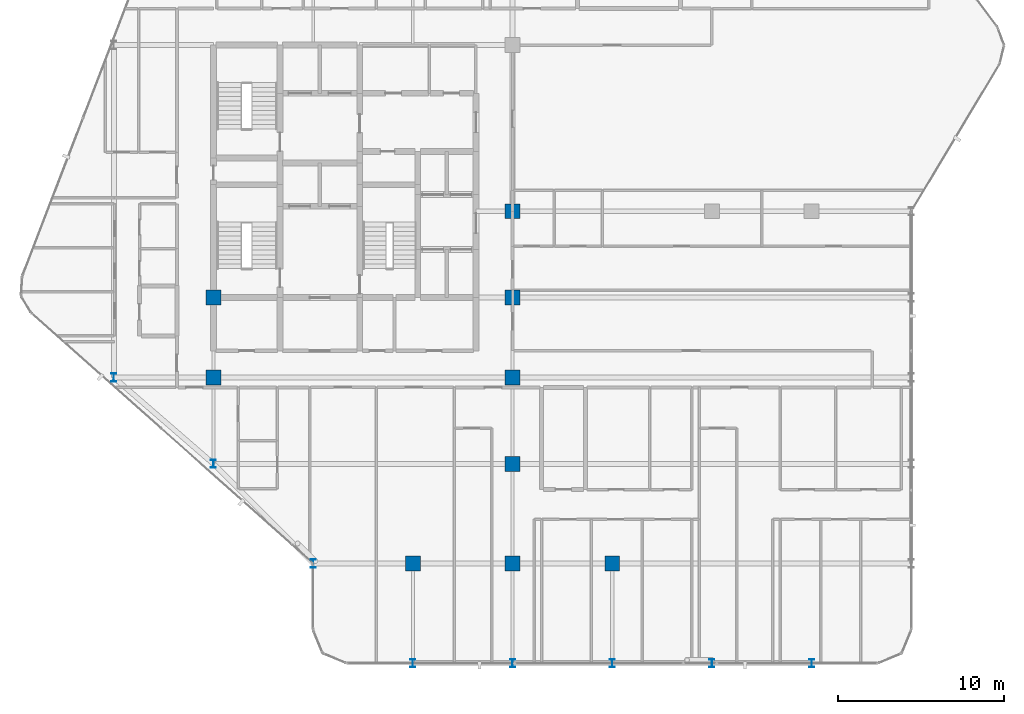
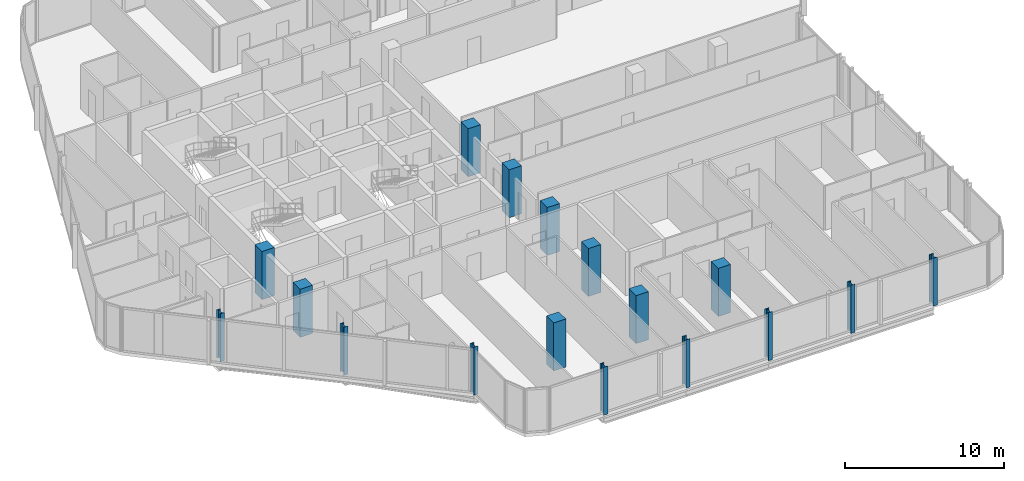
# One storey, part 1 of 31: 17 columns.
"""IFC4 building model written with IfcOpenShell, lengths in metres."""

from ifc_helpers import new_model, si_unit, direction, frame, origin, origin_2d, place, context, subcontext, project, spatial, rectangle, i_section, extrude, material, material_profile, profile_set, type_object, element, save


model = new_model("IFC4")

# Units and contexts
model_context = context("Model", 3, precision=1e-05, world=origin(), true_north=direction((0.0, 1.0)))
body_context = subcontext(model_context, "Body", "Model", "MODEL_VIEW")
ifc_project = project(units=[si_unit("LENGTHUNIT", "METRE"), si_unit("AREAUNIT", "SQUARE_METRE"), si_unit("VOLUMEUNIT", "CUBIC_METRE"), si_unit("PLANEANGLEUNIT", "RADIAN"), si_unit("MASSUNIT", "GRAM", prefix="KILO")], contexts=[model_context])

# Site, building, storey
site_placement = place(None, origin())
site = spatial("IfcSite", under=ifc_project, at=site_placement, CompositionType="ELEMENT")
building_placement = place(site_placement, origin())
building = spatial("IfcBuilding", under=site, at=building_placement, Name="Keshet Zoharim Tower", CompositionType="ELEMENT")
storey_placement = place(building_placement, frame((0.0, 0.0, 140.89990234375)))
storey = spatial("IfcBuildingStorey", under=building, at=storey_placement, Name="L34", CompositionType="ELEMENT", Elevation=140.89990234375)

# Columns
ifc_material_1 = material(Name="Steel S355", Category="steel")
ifc_material_profile_1 = material_profile(ifc_material_1, i_section(OverallWidth=0.300048828125, OverallDepth=0.5, WebThickness=0.014404296875, FlangeThickness=0.028076171875, FilletRadius=0.027099609375, at=origin_2d()), Name="HEB500")
ifc_profile_set_1 = profile_set([ifc_material_profile_1], Name="Steel S355")
column_type_1 = type_object("IfcColumnType", Name="COL-HEB500", PredefinedType="COLUMN", material=ifc_profile_set_1)
for number, where, z_axis, x_axis, name in (
    (1, (9.0, 17.89990234375, 0.0), (0.0, 0.0, 1.0), (1.0, 0.0, 0.0), "L34 Column 2D"),
    (2, (15.0, 12.699951171875, 0.0), (0.0, 0.0, 1.0), (1.0, 0.0, 0.0), "L34 Column 3C"),
    (3, (21.0, 6.699951171875, 0.0), (0.0, 0.0, 1.0), (1.0, 0.0, 0.0), "L34 Column 4B"),
    (4, (27.0, 0.699951171875, 0.0), (0.0, 0.0, 1.0), (1.0, 0.0, 0.0), "L34 Column 5A"),
    (5, (33.0, 0.699951171875, 0.0), (0.0, 0.0, 1.0), (1.0, 0.0, 0.0), "L34 Column 6A"),
    (6, (39.0, 0.699951171875, 0.0), (0.0, 0.0, 1.0), (1.0, 0.0, 0.0), "L34 Column 7A"),
    (7, (45.0, 0.699951171875, 0.0), (0.0, 0.0, 1.0), (1.0, 0.0, 0.0), "L34 Column 8A"),
    (8, (51.0, 0.699951171875, 0.0), (0.0, 0.0, 1.0), (1.0, 0.0, 0.0), "L34 Column 9A"),
):
    element("IfcColumn", number, at=place(storey_placement, frame(where, z_axis=z_axis, x_axis=x_axis)), inside=storey, type_object=column_type_1, Name=name, PredefinedType="COLUMN", context=body_context, shape_type="SweptSolid", body=[
        extrude(i_section(OverallWidth=0.300048828125, OverallDepth=0.5, WebThickness=0.014404296875, FlangeThickness=0.028076171875, FilletRadius=0.027099609375, at=origin_2d()), origin(), (0.0, 0.0, 1.0), 3.7001953125),
    ])
ifc_material_2 = material(Name="Concrete C60/75", Category="concrete")
ifc_material_profile_2 = material_profile(ifc_material_2, rectangle(XDim=0.89990234375, YDim=0.89990234375, at=origin_2d()), Name="RC900x900")
ifc_profile_set_2 = profile_set([ifc_material_profile_2], Name="Concrete C60/75")
column_type_2 = type_object("IfcColumnType", Name="COL-RC900", PredefinedType="COLUMN", material=ifc_profile_set_2)
for number, where, z_axis, x_axis, name in (
    (9, (15.0, 17.89990234375, 0.0), (0.0, 0.0, 1.0), (1.0, 0.0, 0.0), "L34 Column 3D"),
    (10, (15.0, 22.699951171875, 0.0), (0.0, 0.0, 1.0), (1.0, 0.0, 0.0), "L34 Column 3E"),
    (11, (27.0, 6.699951171875, 0.0), (0.0, 0.0, 1.0), (1.0, 0.0, 0.0), "L34 Column 5B"),
    (12, (33.0, 6.699951171875, 0.0), (0.0, 0.0, 1.0), (1.0, 0.0, 0.0), "L34 Column 6B"),
    (13, (33.0, 12.699951171875, 0.0), (0.0, 0.0, 1.0), (1.0, 0.0, 0.0), "L34 Column 6C"),
    (14, (33.0, 17.89990234375, 0.0), (0.0, 0.0, 1.0), (1.0, 0.0, 0.0), "L34 Column 6D"),
    (15, (33.0, 22.699951171875, 0.0), (0.0, 0.0, 1.0), (1.0, 0.0, 0.0), "L34 Column 6E"),
    (16, (33.0, 27.89990234375, 0.0), (0.0, 0.0, 1.0), (1.0, 0.0, 0.0), "L34 Column 6F"),
    (17, (39.0, 6.699951171875, 0.0), (0.0, 0.0, 1.0), (1.0, 0.0, 0.0), "L34 Column 7B"),
):
    element("IfcColumn", number, at=place(storey_placement, frame(where, z_axis=z_axis, x_axis=x_axis)), inside=storey, type_object=column_type_2, Name=name, PredefinedType="COLUMN", context=body_context, shape_type="SweptSolid", body=[
        extrude(rectangle(XDim=0.89990234375, YDim=0.89990234375, at=origin_2d()), origin(), (0.0, 0.0, 1.0), 3.7001953125),
    ])

save(model, "model.ifc")
